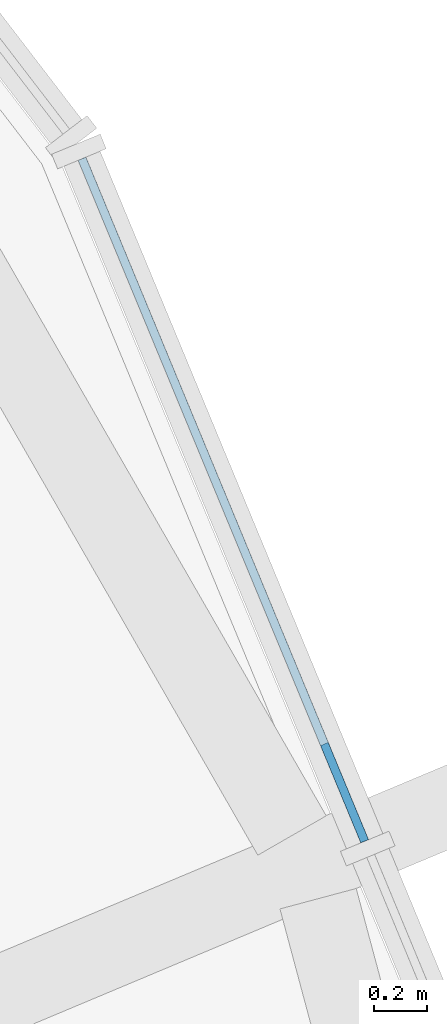
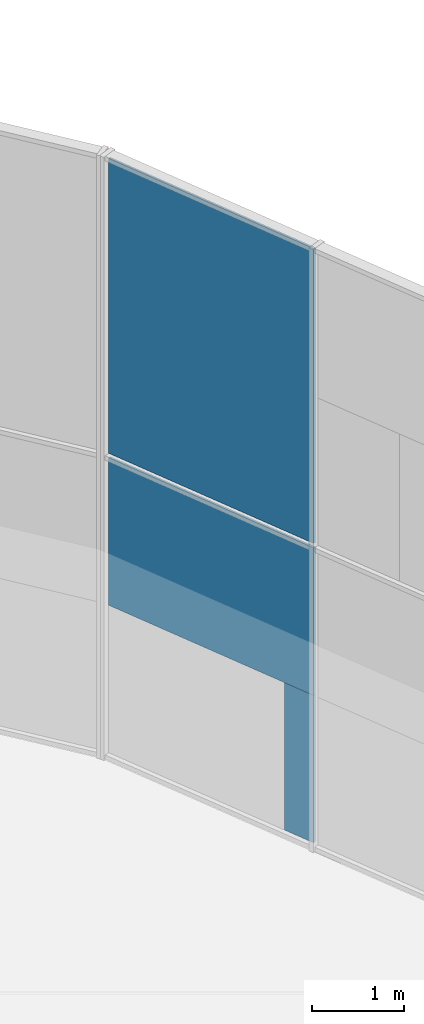
# One storey, part 13 of 19: 3 plates, 1 element without a shape of its own.
"""IFC4 building model written with IfcOpenShell, lengths in metres."""

from ifc_helpers import new_model, si_unit, direction, frame, origin, origin_2d, place, context, subcontext, project, spatial, rectangle, extrude, material, layer, layer_set, type_object, element, aggregate, save


model = new_model("IFC4")

# Units and contexts
model_context = context("Model", 3, precision=1e-05, world=origin(), true_north=direction((0.0, 1.0)))
body_context = subcontext(model_context, "Body", "Model", "MODEL_VIEW")
ifc_project = project(units=[si_unit("LENGTHUNIT", "METRE"), si_unit("AREAUNIT", "SQUARE_METRE"), si_unit("VOLUMEUNIT", "CUBIC_METRE"), si_unit("PLANEANGLEUNIT", "RADIAN"), si_unit("MASSUNIT", "GRAM", prefix="KILO")], contexts=[model_context])

# Site, building, storey
site_placement = place(None, origin())
site = spatial("IfcSite", under=ifc_project, at=site_placement, CompositionType="ELEMENT")
building_placement = place(site_placement, origin())
building = spatial("IfcBuilding", under=site, at=building_placement, Name="Golbaran Civic Tower", CompositionType="ELEMENT")
storey_placement = place(building_placement, frame((0.0, 0.0, 256.0)))
storey = spatial("IfcBuildingStorey", under=building, at=storey_placement, Name="L62", CompositionType="ELEMENT", Elevation=256.0)

# Curtain wall, plates
ifc_material_1 = material(Name="Aluminium and glass", Category="aluminium")
curtain_wall_type = type_object("IfcCurtainWallType", Name="INNER SKIN CURTAIN WALL EXECUTIVE", PredefinedType="NOTDEFINED", material=ifc_material_1)
curtain_wall_placement = place(storey_placement, origin())
curtain_wall = element("IfcCurtainWall", 1, at=curtain_wall_placement, inside=storey, type_object=curtain_wall_type, Name="Inner skin L62 facet 2 CW2", ObjectType="INNER SKIN", PredefinedType="USERDEFINED")
ifc_material_2 = material(Name="Clear insulating glass", Category="glass")
ifc_layer_1 = layer(ifc_material_2, 0.031982421875, Name="Clear insulating glass")
ifc_layer_set_1 = layer_set([ifc_layer_1], Name="Clear insulating glass")
plate_type_1 = type_object("IfcPlateType", Name="INNER SKIN CURTAIN WALL EXECUTIVE GLAZED PANEL", PredefinedType="CURTAIN_PANEL", material=ifc_layer_set_1)
plate_1_placement = place(storey_placement, frame((19.797607421875, 9.75341796875, 2.014892578125), z_axis=(0.0, 0.0, 1.0), x_axis=(-0.382683432365, 0.923879532511, 0.0)))
plate_1 = element("IfcPlate", 2, at=plate_1_placement, type_object=plate_type_1, Name="CW2 panel 2.1 part 3", PredefinedType="CURTAIN_PANEL", context=body_context, shape_type="SweptSolid", body=[
    extrude(rectangle(XDim=2.809326171875, YDim=0.031982421875, at=origin_2d()), origin(), (0.0, 0.0, 1.0), 1.955078125),
])
plate_2_placement = place(storey_placement, frame((19.797607421875, 9.75341796875, 4.0302734375), z_axis=(0.0, 0.0, 1.0), x_axis=(-0.382683432365, 0.923879532511, 0.0)))
plate_2 = element("IfcPlate", 3, at=plate_2_placement, type_object=plate_type_1, Name="CW2 panel 2.2", PredefinedType="CURTAIN_PANEL", context=body_context, shape_type="SweptSolid", body=[
    extrude(rectangle(XDim=2.809326171875, YDim=0.031982421875, at=origin_2d()), origin(), (0.0, 0.0, 1.0), 3.909912109375),
])
ifc_material_3 = material(Name="Aluminium faced opaque infill panel", Category="aluminium")
ifc_layer_2 = layer(ifc_material_3, 0.031982421875, Name="Aluminium faced opaque infill panel")
ifc_layer_set_2 = layer_set([ifc_layer_2], Name="Aluminium faced opaque infill panel")
plate_type_2 = type_object("IfcPlateType", Name="INNER SKIN CURTAIN WALL EXECUTIVE OPAQUE INFILL PANEL", PredefinedType="CURTAIN_PANEL", material=ifc_layer_set_2)
plate_3_placement = place(storey_placement, frame((20.258544921875, 8.640380859375, 0.06005859375), z_axis=(0.0, 0.0, 1.0), x_axis=(-0.382683432365, 0.923879532511, 0.0)))
plate_3 = element("IfcPlate", 4, at=plate_3_placement, type_object=plate_type_2, Name="CW2 infill panel 2.1 part 1", PredefinedType="CURTAIN_PANEL", context=body_context, shape_type="SweptSolid", body=[
    extrude(rectangle(XDim=0.39990234375, YDim=0.031982421875, at=origin_2d()), origin(), (0.0, 0.0, 1.0), 1.955078125),
])
aggregate(curtain_wall, [plate_3, plate_1, plate_2])

save(model, "model.ifc")
